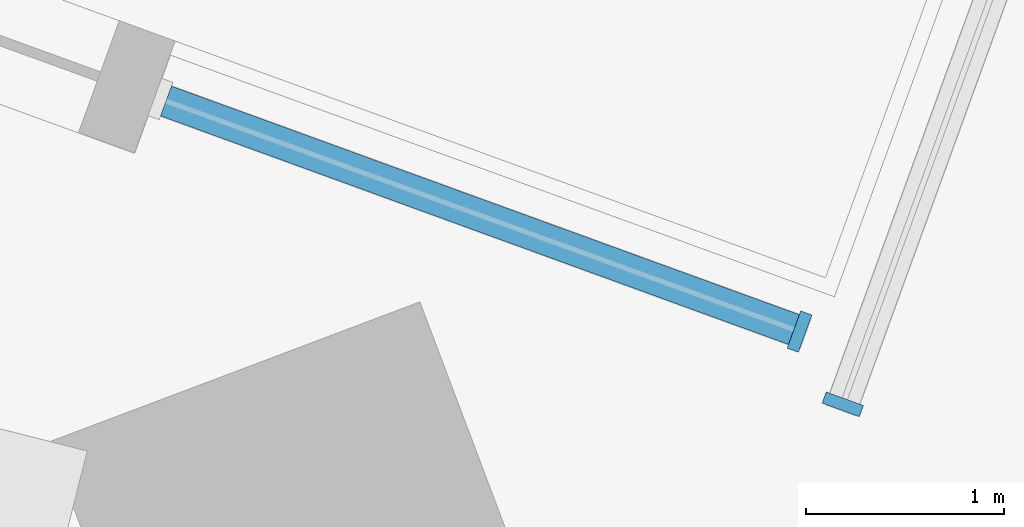
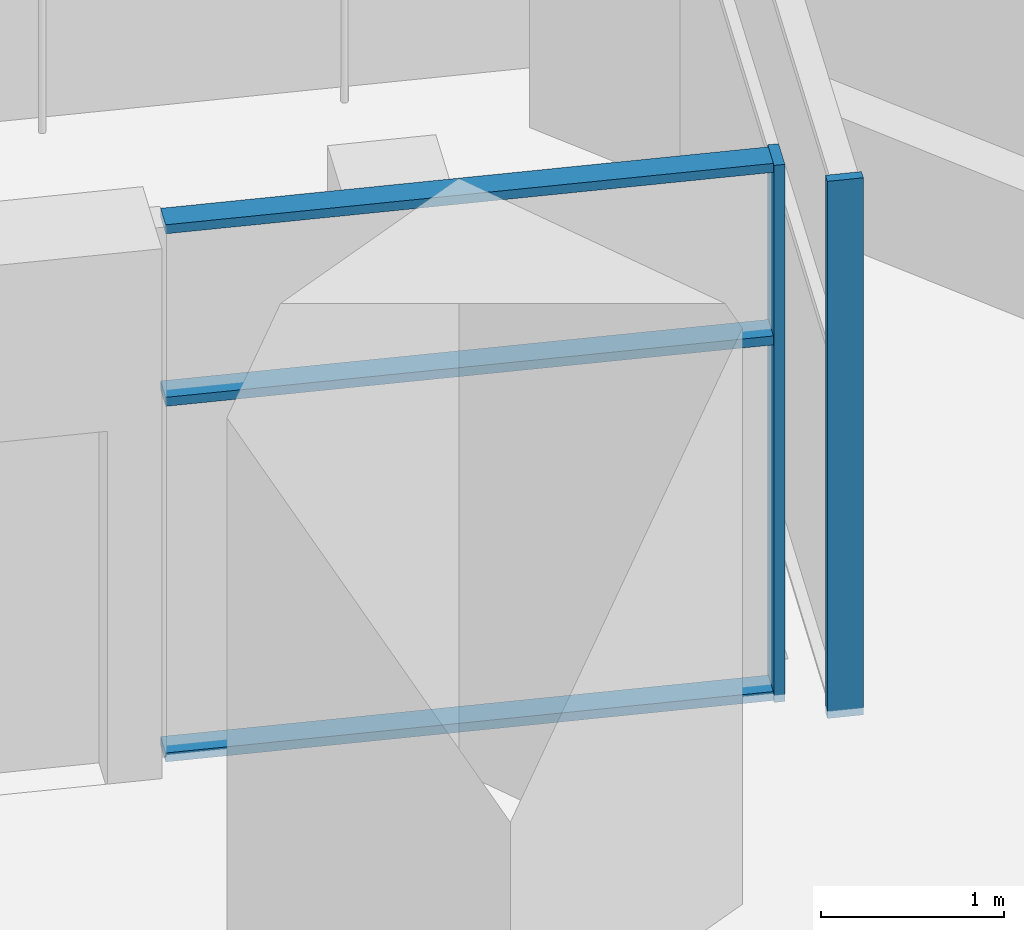
# One storey, part 2 of 12: 5 members, 2 elements without a shape of their own.
"""IFC4 building model written with IfcOpenShell, lengths in metres."""

from ifc_helpers import new_model, si_unit, direction, frame, origin, origin_2d, place, context, subcontext, project, spatial, rectangle, extrude, material, material_profile, profile_set, type_object, element, aggregate, save


model = new_model("IFC4")

# Units and contexts
model_context = context("Model", 3, precision=1e-05, world=origin(), true_north=direction((0.0, 1.0)))
body_context = subcontext(model_context, "Body", "Model", "MODEL_VIEW")
ifc_project = project(units=[si_unit("LENGTHUNIT", "METRE"), si_unit("AREAUNIT", "SQUARE_METRE"), si_unit("VOLUMEUNIT", "CUBIC_METRE"), si_unit("PLANEANGLEUNIT", "RADIAN"), si_unit("MASSUNIT", "GRAM", prefix="KILO")], contexts=[model_context])

# Site, building, storey
site_placement = place(None, origin())
site = spatial("IfcSite", under=ifc_project, at=site_placement, CompositionType="ELEMENT")
building_placement = place(site_placement, origin())
building = spatial("IfcBuilding", under=site, at=building_placement, Name="Dilmun Exchange Tower", CompositionType="ELEMENT")
storey_placement = place(building_placement, frame((0.0, 0.0, 122.10009765625)))
storey = spatial("IfcBuildingStorey", under=building, at=storey_placement, Name="L28", CompositionType="ELEMENT", Elevation=122.10009765625)

# Curtain wall, member
ifc_material_1 = material(Name="Anodised aluminium and clear glass", Category="aluminium")
curtain_wall_type = type_object("IfcCurtainWallType", Name="Garden corner glazing", PredefinedType="NOTDEFINED", material=ifc_material_1)
curtain_wall_1_placement = place(storey_placement, origin())
curtain_wall_1 = element("IfcCurtainWall", 1, at=curtain_wall_1_placement, inside=storey, type_object=curtain_wall_type, Name="Garden corner glazing run GC1.1", PredefinedType="NOTDEFINED")
ifc_material_2 = material(Name="Anodised aluminium", Category="aluminium")
ifc_material_profile_1 = material_profile(ifc_material_2, rectangle(XDim=0.199951171875, YDim=0.06005859375, at=origin_2d()), Name="AL 60x200")
ifc_profile_set_1 = profile_set([ifc_material_profile_1], Name="Anodised aluminium")
member_type_1 = type_object("IfcMemberType", Name="Garden corner glazing mullion 60 x 200", PredefinedType="MULLION", material=ifc_profile_set_1)
member_1_placement = place(storey_placement, frame((15.836181640625, 27.126220703125, 0.0), z_axis=(0.0, 0.0, 1.0), x_axis=(0.939694291986, -0.342015551708, 0.0)))
member_1 = element("IfcMember", 2, at=member_1_placement, type_object=member_type_1, Name="GC1.1 mullion 2", PredefinedType="MULLION", context=body_context, shape_type="SweptSolid", body=[
    extrude(rectangle(XDim=0.199951171875, YDim=0.06005859375, at=origin_2d()), origin(), (0.0, 0.0, 1.0), 3.579833984375),
])
aggregate(curtain_wall_1, [member_1])

# Curtain wall, members
curtain_wall_2_placement = place(storey_placement, origin())
curtain_wall_2 = element("IfcCurtainWall", 3, at=curtain_wall_2_placement, inside=storey, type_object=curtain_wall_type, Name="Garden corner glazing run GC2.1", PredefinedType="NOTDEFINED")
member_2_placement = place(storey_placement, frame((15.618408203125, 27.492919921875, 0.0), z_axis=(0.0, 0.0, 1.0), x_axis=(-0.342032997842, -0.939687942025, 0.0)))
member_2 = element("IfcMember", 4, at=member_2_placement, type_object=member_type_1, Name="GC2.1 mullion 1", PredefinedType="MULLION", context=body_context, shape_type="SweptSolid", body=[
    extrude(rectangle(XDim=0.199951171875, YDim=0.06005859375, at=origin_2d()), origin(), (0.0, 0.0, 1.0), 3.579833984375),
])
ifc_material_profile_2 = material_profile(ifc_material_2, rectangle(XDim=0.159912109375, YDim=0.06005859375, at=origin_2d()), Name="AL 60x160")
ifc_profile_set_2 = profile_set([ifc_material_profile_2], Name="Anodised aluminium")
member_type_2 = type_object("IfcMemberType", Name="Garden corner glazing transom 60 x 160", PredefinedType="USERDEFINED", material=ifc_profile_set_2)
member_3_placement = place(storey_placement, frame((15.590087890625, 27.503173828125, 0.02978515625), z_axis=(-0.939691828912, 0.342022318975, 0.0), x_axis=(-0.342022318975, -0.939691828912, 0.0)))
member_3 = element("IfcMember", 5, at=member_3_placement, type_object=member_type_2, Name="GC2.1 transom 1.1", ObjectType="TRANSOM", PredefinedType="USERDEFINED", context=body_context, shape_type="SweptSolid", body=[
    extrude(rectangle(XDim=0.159912109375, YDim=0.06005859375, at=origin_2d()), origin(), (0.0, 0.0, 1.0), 3.369140625),
])
member_4_placement = place(storey_placement, frame((15.590087890625, 27.503173828125, 2.39990234375), z_axis=(-0.939691828912, 0.342022318975, 0.0), x_axis=(-0.342022318975, -0.939691828912, 0.0)))
member_4 = element("IfcMember", 6, at=member_4_placement, type_object=member_type_2, Name="GC2.1 transom 1.2", ObjectType="TRANSOM", PredefinedType="USERDEFINED", context=body_context, shape_type="SweptSolid", body=[
    extrude(rectangle(XDim=0.159912109375, YDim=0.06005859375, at=origin_2d()), origin(), (0.0, 0.0, 1.0), 3.369140625),
])
member_5_placement = place(storey_placement, frame((15.590087890625, 27.503173828125, 3.5498046875), z_axis=(-0.939691828912, 0.342022318975, 0.0), x_axis=(-0.342022318975, -0.939691828912, 0.0)))
member_5 = element("IfcMember", 7, at=member_5_placement, type_object=member_type_2, Name="GC2.1 transom 1.3", ObjectType="TRANSOM", PredefinedType="USERDEFINED", context=body_context, shape_type="SweptSolid", body=[
    extrude(rectangle(XDim=0.159912109375, YDim=0.06005859375, at=origin_2d()), origin(), (0.0, 0.0, 1.0), 3.369140625),
])
aggregate(curtain_wall_2, [member_2, member_3, member_4, member_5])

save(model, "model.ifc")
